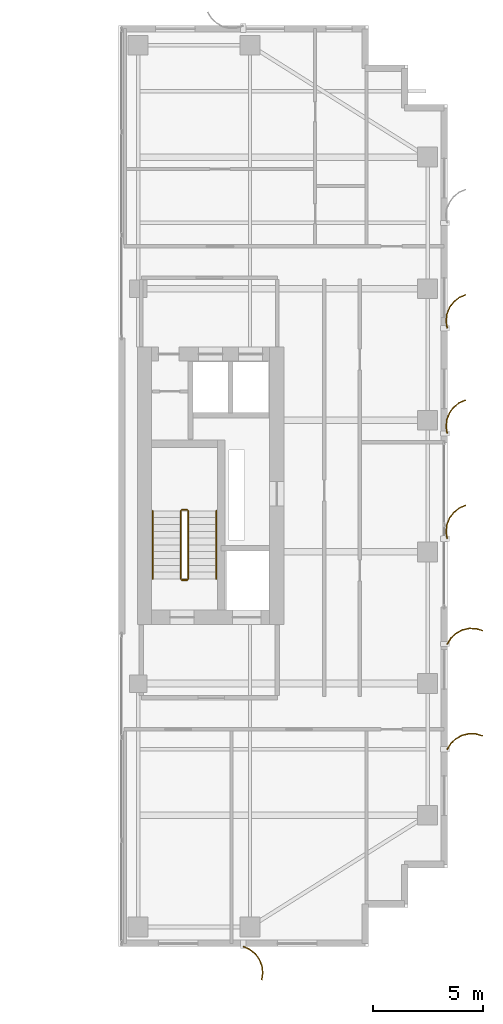
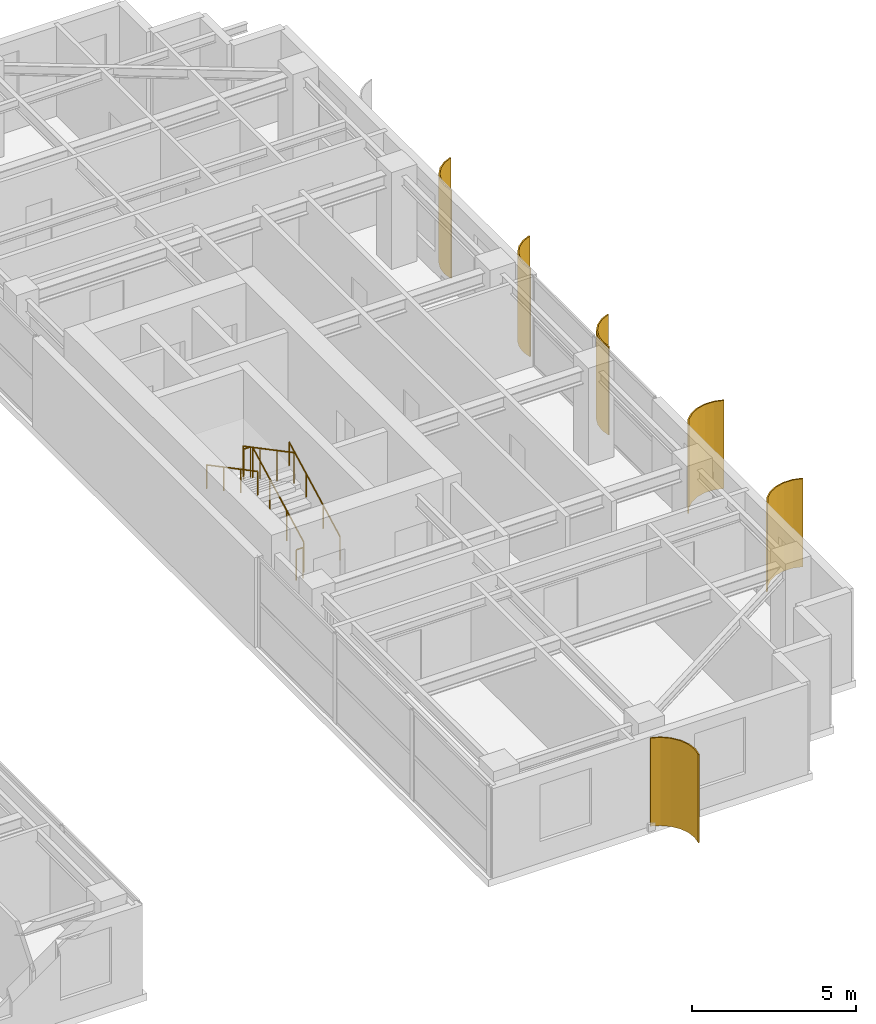
# One storey, part 21 of 22: 6 railings, 6 shading devices.
"""IFC4 building model written with IfcOpenShell, lengths in metres."""

from ifc_helpers import new_model, si_unit, direction, frame, origin, origin_2d, place, context, subcontext, project, spatial, polyline, circle, outline, extrude, source, transform, mapped, material, layer, layer_set, type_object, element, save


model = new_model("IFC4")

# Units and contexts
model_context = context("Model", 3, precision=1e-05, world=origin(), true_north=direction((0.0, 1.0)))
body_context = subcontext(model_context, "Body", "Model", "MODEL_VIEW")
ifc_project = project(units=[si_unit("LENGTHUNIT", "METRE"), si_unit("AREAUNIT", "SQUARE_METRE"), si_unit("VOLUMEUNIT", "CUBIC_METRE"), si_unit("PLANEANGLEUNIT", "RADIAN"), si_unit("MASSUNIT", "GRAM", prefix="KILO")], contexts=[model_context])

# Site, building, storey
site_placement = place(None, origin())
site = spatial("IfcSite", under=ifc_project, at=site_placement, CompositionType="ELEMENT")
building_placement = place(site_placement, origin())
building = spatial("IfcBuilding", under=site, at=building_placement, Name="Khoralis Quay Care Tower", CompositionType="ELEMENT")
storey_placement = place(building_placement, frame((0.0, 0.0, 209.699951171875)))
storey = spatial("IfcBuildingStorey", under=building, at=storey_placement, Name="L55", CompositionType="ELEMENT", Elevation=209.699951171875)

# Railings
ifc_material_1 = material(Name="Brushed stainless steel", Category="steel")
railing_type_1 = type_object("IfcRailingType", Name="RL-GUARD-1150", PredefinedType="GUARDRAIL", material=ifc_material_1)
railing_1_placement = place(storey_placement, frame((33.18994140625, 16.77001953125, 0.16357421875)))
element("IfcRailing", 1, at=railing_1_placement, inside=storey, type_object=railing_type_1, Name="L55 ST-T2 stair guard 1", PredefinedType="GUARDRAIL", context=body_context, shape_type="SweptSolid", body=[
    extrude(circle(Radius=0.02392578125, at=origin_2d()), frame((0.0, 0.0, 1.1259765625), z_axis=(0.0, 0.884348015382, 0.466828220752), x_axis=(-1.0, 0.0, 0.0)), (0.0, 0.0, 1.0), 3.505615234375),
    extrude(circle(Radius=0.02099609375, at=origin_2d()), origin(), (0.0, 0.0, 1.0), 1.101806640625),
    extrude(circle(Radius=0.02099609375, at=origin_2d()), frame((0.0, 1.033447265625, 0.54541015625)), (0.0, 0.0, 1.0), 1.101806640625),
    extrude(circle(Radius=0.02099609375, at=origin_2d()), frame((0.0, 2.066650390625, 1.091064453125)), (0.0, 0.0, 1.0), 1.101806640625),
    extrude(circle(Radius=0.02099609375, at=origin_2d()), frame((0.0, 3.10009765625, 1.636474609375)), (0.0, 0.0, 1.0), 1.101806640625),
])
railing_2_placement = place(storey_placement, frame((33.139892578125, 19.919921875, 1.800048828125)))
element("IfcRailing", 2, at=railing_2_placement, inside=storey, type_object=railing_type_1, Name="L55 ST-T2 stair guard 2", PredefinedType="GUARDRAIL", context=body_context, shape_type="SweptSolid", body=[
    extrude(circle(Radius=0.02392578125, at=origin_2d()), frame((0.0, 0.0, 1.1259765625), z_axis=(-1.0, 0.0, 0.0), x_axis=(0.0, -1.0, 0.0)), (0.0, 0.0, 1.0), 0.239990234375),
    extrude(circle(Radius=0.02099609375, at=origin_2d()), origin(), (0.0, 0.0, 1.0), 1.101806640625),
    extrude(circle(Radius=0.02099609375, at=origin_2d()), frame((-0.239990234375, 0.0, 0.0)), (0.0, 0.0, 1.0), 1.101806640625),
])
railing_3_placement = place(storey_placement, frame((32.85009765625, 19.8701171875, 1.963623046875)))
element("IfcRailing", 3, at=railing_3_placement, inside=storey, type_object=railing_type_1, Name="L55 ST-T2 stair guard 3", PredefinedType="GUARDRAIL", context=body_context, shape_type="SweptSolid", body=[
    extrude(circle(Radius=0.02392578125, at=origin_2d()), frame((0.0, 0.0, 1.1259765625), z_axis=(0.0, -0.884348015382, 0.466828220752), x_axis=(1.0, 0.0, 0.0)), (0.0, 0.0, 1.0), 3.505615234375),
    extrude(circle(Radius=0.02099609375, at=origin_2d()), origin(), (0.0, 0.0, 1.0), 1.101806640625),
    extrude(circle(Radius=0.02099609375, at=origin_2d()), frame((0.0, -1.033447265625, 0.54541015625)), (0.0, 0.0, 1.0), 1.101806640625),
    extrude(circle(Radius=0.02099609375, at=origin_2d()), frame((0.0, -2.066650390625, 1.091064453125)), (0.0, 0.0, 1.0), 1.101806640625),
    extrude(circle(Radius=0.02099609375, at=origin_2d()), frame((0.0, -3.10009765625, 1.636474609375)), (0.0, 0.0, 1.0), 1.101806640625),
])
railing_4_placement = place(storey_placement, frame((33.139892578125, 16.719970703125, 0.0)))
element("IfcRailing", 4, at=railing_4_placement, inside=storey, type_object=railing_type_1, Name="L55 ST-T2 stair guard 4", PredefinedType="GUARDRAIL", context=body_context, shape_type="SweptSolid", body=[
    extrude(circle(Radius=0.02392578125, at=origin_2d()), frame((0.0, 0.0, 1.1259765625), z_axis=(-1.0, 0.0, 0.0), x_axis=(0.0, -1.0, 0.0)), (0.0, 0.0, 1.0), 0.239990234375),
    extrude(circle(Radius=0.02099609375, at=origin_2d()), origin(), (0.0, 0.0, 1.0), 1.101806640625),
    extrude(circle(Radius=0.02099609375, at=origin_2d()), frame((-0.239990234375, 0.0, 0.0)), (0.0, 0.0, 1.0), 1.101806640625),
])
railing_type_2 = type_object("IfcRailingType", Name="RL-HAND-900", PredefinedType="HANDRAIL", material=ifc_material_1)
railing_5_placement = place(storey_placement, frame((34.469970703125, 16.77001953125, 0.16357421875)))
element("IfcRailing", 5, at=railing_5_placement, inside=storey, type_object=railing_type_2, Name="L55 ST-T2 stair handrail 1", PredefinedType="HANDRAIL", context=body_context, shape_type="SweptSolid", body=[
    extrude(circle(Radius=0.02392578125, at=origin_2d()), frame((0.0, 0.0, 0.8759765625), z_axis=(0.0, 0.884348015382, 0.466828220752), x_axis=(-1.0, 0.0, 0.0)), (0.0, 0.0, 1.0), 3.505615234375),
    extrude(circle(Radius=0.02099609375, at=origin_2d()), origin(), (0.0, 0.0, 1.0), 0.851806640625),
    extrude(circle(Radius=0.02099609375, at=origin_2d()), frame((0.0, 1.033447265625, 0.54541015625)), (0.0, 0.0, 1.0), 0.851806640625),
    extrude(circle(Radius=0.02099609375, at=origin_2d()), frame((0.0, 2.066650390625, 1.091064453125)), (0.0, 0.0, 1.0), 0.851806640625),
    extrude(circle(Radius=0.02099609375, at=origin_2d()), frame((0.0, 3.10009765625, 1.636474609375)), (0.0, 0.0, 1.0), 0.851806640625),
])
railing_6_placement = place(storey_placement, frame((31.570068359375, 19.8701171875, 1.963623046875)))
element("IfcRailing", 6, at=railing_6_placement, inside=storey, type_object=railing_type_2, Name="L55 ST-T2 stair handrail 2", PredefinedType="HANDRAIL", context=body_context, shape_type="SweptSolid", body=[
    extrude(circle(Radius=0.02392578125, at=origin_2d()), frame((0.0, 0.0, 0.8759765625), z_axis=(0.0, -0.884348015382, 0.466828220752), x_axis=(1.0, 0.0, 0.0)), (0.0, 0.0, 1.0), 3.505615234375),
    extrude(circle(Radius=0.02099609375, at=origin_2d()), origin(), (0.0, 0.0, 1.0), 0.851806640625),
    extrude(circle(Radius=0.02099609375, at=origin_2d()), frame((0.0, -1.033447265625, 0.54541015625)), (0.0, 0.0, 1.0), 0.851806640625),
    extrude(circle(Radius=0.02099609375, at=origin_2d()), frame((0.0, -2.066650390625, 1.091064453125)), (0.0, 0.0, 1.0), 0.851806640625),
    extrude(circle(Radius=0.02099609375, at=origin_2d()), frame((0.0, -3.10009765625, 1.636474609375)), (0.0, 0.0, 1.0), 0.851806640625),
])

# Shading devices
ifc_material_2 = material(Name="Brushed pale anodised aluminium", Category="aluminium")
ifc_layer = layer(ifc_material_2, 0.044921875)
ifc_layer_set = layer_set([ifc_layer], Name="Brushed pale anodised aluminium")
shading_device_type = type_object("IfcShadingDeviceType", Name="SHD-FIN-1250", PredefinedType="USERDEFINED", material=ifc_layer_set)
shared_shape_1 = source(origin(), body_context, "Body", "SweptSolid", [
    extrude(outline(polyline([(0.0, 0.0), (0.17041015625, 0.2783203125), (0.4072265625, 0.5029296875), (0.694091796875, 0.658447265625), (1.01123046875, 0.734619140625), (1.33740234375, 0.72607421875), (1.650390625, 0.633544921875), (1.632080078125, 0.59228515625), (1.330322265625, 0.681640625), (1.015869140625, 0.68994140625), (0.710205078125, 0.616455078125), (0.43359375, 0.466552734375), (0.20556640625, 0.25), (0.041015625, -0.018310546875), (0.0, 0.0)])), origin(), (0.0, 0.0, 1.0), 3.280029296875),
])
for number, where, z_axis, x_axis, name in (
    (7, (44.969970703125, 9.0, 0.02001953125), (0.0, 0.0, 1.0), (1.0, 0.0, 0.0), "L55 Curved Solar Fin P2E5-01"),
    (8, (44.969970703125, 13.800048828125, 0.02001953125), (0.0, 0.0, 1.0), (1.0, 0.0, 0.0), "L55 Curved Solar Fin P2E5-02"),
):
    element("IfcShadingDevice", number, at=place(storey_placement, frame(where, z_axis=z_axis, x_axis=x_axis)), inside=storey, type_object=shading_device_type, Name=name, ObjectType="FIN", PredefinedType="USERDEFINED", context=body_context, shape_type="MappedRepresentation", body=[
        mapped(shared_shape_1, transform((0.0, 0.0, 0.0), scale=1.0)),
    ])
shared_shape_2 = source(origin(), body_context, "Body", "SweptSolid", [
    extrude(outline(polyline([(0.0, 0.0), (-0.04833984375, 0.32275390625), (-0.01123046875, 0.64697265625), (0.1083984375, 0.950439453125), (0.302490234375, 1.212890625), (0.557861328125, 1.416015625), (0.85693359375, 1.546142578125), (0.869384765625, 1.5029296875), (0.5810546875, 1.37744140625), (0.334716796875, 1.181640625), (0.147705078125, 0.9287109375), (0.032470703125, 0.635986328125), (-0.003173828125, 0.323486328125), (0.043212890625, 0.012451171875), (0.0, 0.0)])), origin(), (0.0, 0.0, 1.0), 3.280029296875),
])
for number, where, z_axis, x_axis, name in (
    (9, (44.969970703125, 18.60009765625, 0.02001953125), (0.0, 0.0, 1.0), (1.0, 0.0, 0.0), "L55 Curved Solar Fin P2E5-03"),
    (10, (44.969970703125, 23.39990234375, 0.02001953125), (0.0, 0.0, 1.0), (1.0, 0.0, 0.0), "L55 Curved Solar Fin P2E5-04"),
    (11, (44.969970703125, 28.199951171875, 0.02001953125), (0.0, 0.0, 1.0), (1.0, 0.0, 0.0), "L55 Curved Solar Fin P2E5-05"),
):
    element("IfcShadingDevice", number, at=place(storey_placement, frame(where, z_axis=z_axis, x_axis=x_axis)), inside=storey, type_object=shading_device_type, Name=name, ObjectType="FIN", PredefinedType="USERDEFINED", context=body_context, shape_type="MappedRepresentation", body=[
        mapped(shared_shape_2, transform((0.0, 0.0, 0.0), scale=1.0)),
    ])
shared_shape_3 = source(origin(), body_context, "Body", "SweptSolid", [
    extrude(outline(polyline([(0.0, 0.0), (0.130126953125, 0.29931640625), (0.333251953125, 0.5546875), (0.595458984375, 0.748779296875), (0.899169921875, 0.868408203125), (1.223388671875, 0.9052734375), (1.546142578125, 0.85693359375), (1.53369140625, 0.813720703125), (1.22265625, 0.8603515625), (0.91015625, 0.82470703125), (0.617431640625, 0.70947265625), (0.364501953125, 0.522216796875), (0.168701171875, 0.276123046875), (0.043212890625, -0.012451171875), (0.0, 0.0)])), origin(), (0.0, 0.0, 1.0), 3.280029296875),
])
shading_device_placement = place(storey_placement, frame((35.699951171875, 0.030029296875, 0.02001953125), z_axis=(0.0, 0.0, 1.0), x_axis=(0.0, -1.0, 0.0)))
element("IfcShadingDevice", 12, at=shading_device_placement, inside=storey, type_object=shading_device_type, Name="L55 Curved Solar Fin P2E0-01", ObjectType="FIN", PredefinedType="USERDEFINED", context=body_context, shape_type="MappedRepresentation", body=[
    mapped(shared_shape_3, transform((0.0, 0.0, 0.0), scale=1.0)),
])

save(model, "model.ifc")
